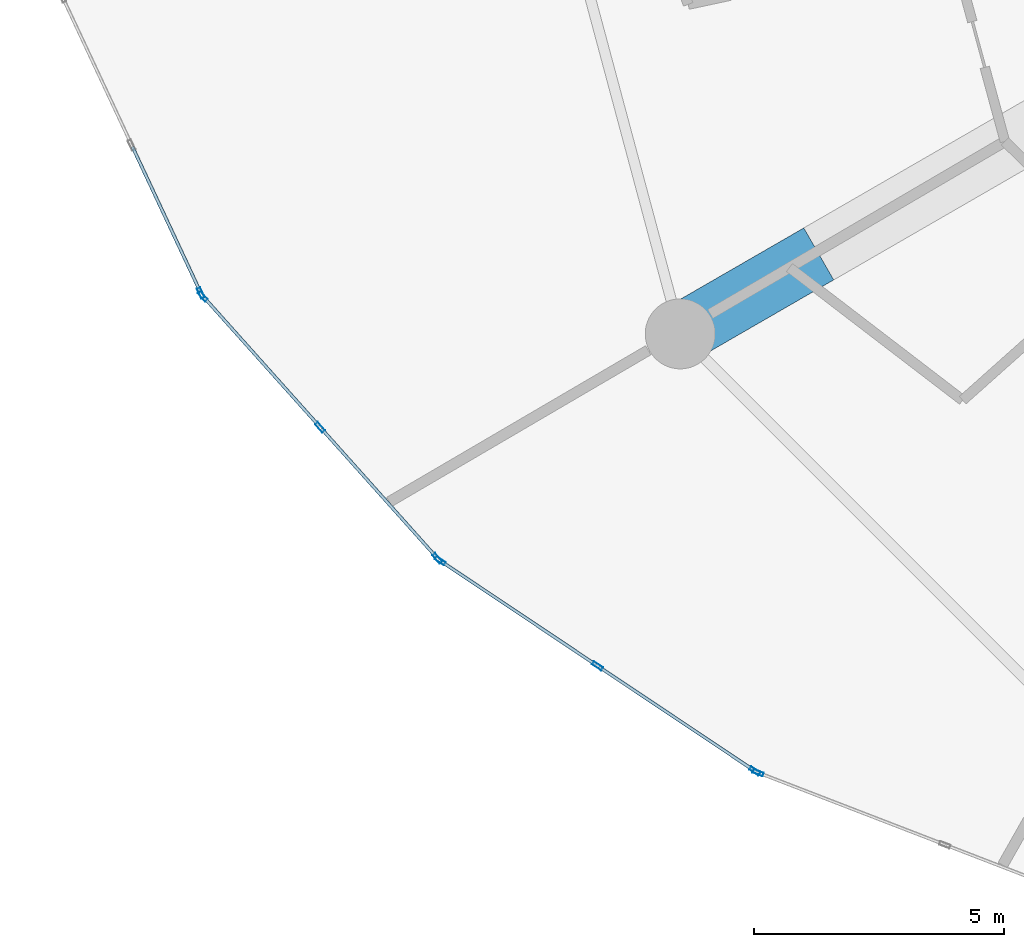
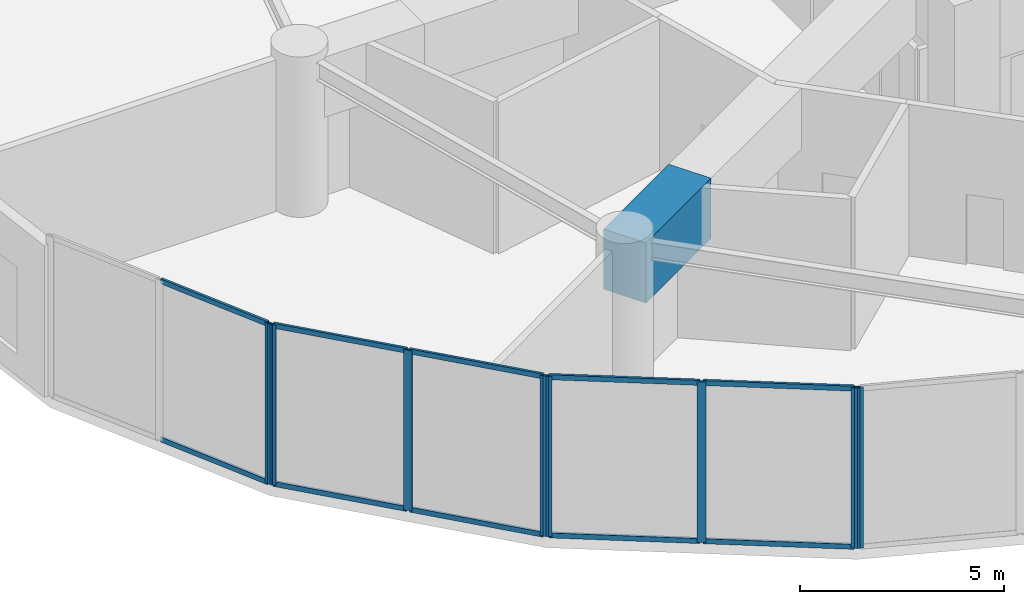
# One storey, part 4 of 27: 18 members, 1 beam, 4 elements without a shape of their own.
"""IFC4 building model written with IfcOpenShell, lengths in metres."""

from ifc_helpers import new_model, si_unit, direction, frame, origin, origin_2d, place, context, subcontext, project, spatial, rectangle, hollow_rectangle, extrude, source, transform, mapped, material, layer, layer_set, material_profile, profile_set, type_object, element, aggregate, save


model = new_model("IFC4")

# Units and contexts
model_context = context("Model", 3, precision=1e-05, world=origin(), true_north=direction((0.0, 1.0)))
body_context = subcontext(model_context, "Body", "Model", "MODEL_VIEW")
ifc_project = project(units=[si_unit("LENGTHUNIT", "METRE"), si_unit("AREAUNIT", "SQUARE_METRE"), si_unit("VOLUMEUNIT", "CUBIC_METRE"), si_unit("PLANEANGLEUNIT", "RADIAN"), si_unit("MASSUNIT", "GRAM", prefix="KILO")], contexts=[model_context])

# Site, building, storey
site_placement = place(None, origin())
site = spatial("IfcSite", under=ifc_project, at=site_placement, CompositionType="ELEMENT")
building_placement = place(site_placement, origin())
building = spatial("IfcBuilding", under=site, at=building_placement, Name="Solvirekh Grand Hotel", CompositionType="ELEMENT")
storey_placement = place(building_placement, frame((0.0, 0.0, 23.60009765625)))
storey = spatial("IfcBuildingStorey", under=building, at=storey_placement, Name="L04", CompositionType="ELEMENT", Elevation=23.60009765625)

# Beam
ifc_material_1 = material(Name="Concrete C60/75", Category="concrete")
ifc_material_profile_1 = material_profile(ifc_material_1, rectangle(XDim=1.199951171875, YDim=1.800048828125, at=origin_2d()), Name="RC GIRDER 1200X1800")
ifc_profile_set_1 = profile_set([ifc_material_profile_1], Name="Concrete C60/75")
beam_type = type_object("IfcBeamType", Name="TransferGirder_RC1800", PredefinedType="USERDEFINED", material=ifc_profile_set_1)
beam_placement = place(storey_placement, frame((-16.10791015625, -9.300048828125, 3.639892578125), z_axis=(-0.866022944154, -0.50000426018, 0.0), x_axis=(0.50000426018, -0.866022944154, 0.0)))
element("IfcBeam", 1, at=beam_placement, inside=storey, type_object=beam_type, Name="L04 outer radial transfer girder 8B", ObjectType="TRANSFER GIRDER", PredefinedType="USERDEFINED", context=body_context, shape_type="SweptSolid", body=[
    extrude(rectangle(XDim=1.199951171875, YDim=1.800048828125, at=origin_2d()), origin(), (0.0, 0.0, 1.0), 3.19970703125),
])

# Curtain wall, members
ifc_material_2 = material(Name="Anodized Bronze Aluminium 6063-T6", Category="aluminium")
ifc_layer = layer(ifc_material_2, 0.219970703125)
ifc_layer_set = layer_set([ifc_layer], Name="Anodized Bronze Aluminium 6063-T6")
curtain_wall_type = type_object("IfcCurtainWallType", Name="CW_Sys1_PodiumBronzeUnitised", PredefinedType="NOTDEFINED", material=ifc_layer_set)
curtain_wall_1_placement = place(storey_placement, origin())
curtain_wall_1 = element("IfcCurtainWall", 2, at=curtain_wall_1_placement, inside=storey, type_object=curtain_wall_type, Name="L04 unitised bronze-glass curtain wall CW-L04-C14", PredefinedType="NOTDEFINED")
ifc_material_profile_2 = material_profile(ifc_material_2, hollow_rectangle(XDim=0.06494140625, YDim=0.14990234375, WallThickness=0.0048828125, at=origin_2d()), Name="ALU RHS 150X65X5")
ifc_profile_set_2 = profile_set([ifc_material_profile_2], Name="Anodized Bronze Aluminium 6063-T6")
member_type_1 = type_object("IfcMemberType", Name="CWTransom_Sys1", PredefinedType="USERDEFINED", material=ifc_profile_set_2)
shared_shape_1 = source(origin(), body_context, "Body", "SweptSolid", [
    extrude(hollow_rectangle(XDim=0.06494140625, YDim=0.14990234375, WallThickness=0.0048828125, at=origin_2d()), origin(), (0.0, 0.0, 1.0), 3.193603515625),
])
member_1_placement = place(storey_placement, frame((-29.839111328125, -7.156494140625, 0.032470703125), z_axis=(0.423759974185, -0.905774521765, 0.0), x_axis=(0.905774521765, 0.423759974185, 0.0)))
member_1 = element("IfcMember", 3, at=member_1_placement, type_object=member_type_1, Name="U01 transom 2.1", ObjectType="TRANSOM", PredefinedType="USERDEFINED", context=body_context, shape_type="MappedRepresentation", body=[
    mapped(shared_shape_1, transform((0.0, 0.0, 0.0), x_axis=(1.0, 0.0, 0.0), y_axis=(0.0, 1.0, 0.0), z_axis=(0.0, 0.0, 1.0), scale=1.0)),
])
member_2_placement = place(storey_placement, frame((-29.839111328125, -7.156494140625, 4.767333984375), z_axis=(0.423759974185, -0.905774521765, 0.0), x_axis=(0.905774521765, 0.423759974185, 0.0)))
member_2 = element("IfcMember", 4, at=member_2_placement, type_object=member_type_1, Name="U01 transom 2.2", ObjectType="TRANSOM", PredefinedType="USERDEFINED", context=body_context, shape_type="MappedRepresentation", body=[
    mapped(shared_shape_1, transform((0.0, 0.0, 0.0), x_axis=(1.0, 0.0, 0.0), y_axis=(0.0, 1.0, 0.0), z_axis=(0.0, 0.0, 1.0), scale=1.0)),
])

curtain_wall_2_placement = place(storey_placement, origin())
curtain_wall_2 = element("IfcCurtainWall", 5, at=curtain_wall_2_placement, inside=storey, type_object=curtain_wall_type, Name="L04 unitised bronze-glass curtain wall CW-L04-C15", PredefinedType="NOTDEFINED")
shared_shape_2 = source(origin(), body_context, "Body", "SweptSolid", [
    extrude(hollow_rectangle(XDim=0.06494140625, YDim=0.14990234375, WallThickness=0.0048828125, at=origin_2d()), origin(), (0.0, 0.0, 1.0), 3.443115234375),
])
member_3_placement = place(storey_placement, frame((-28.404052734375, -10.1728515625, 0.032470703125), z_axis=(0.666732677709, -0.745296945167, 0.0), x_axis=(0.745296945167, 0.666732677709, 0.0)))
member_3 = element("IfcMember", 6, at=member_3_placement, type_object=member_type_1, Name="U01 transom 1.1", ObjectType="TRANSOM", PredefinedType="USERDEFINED", context=body_context, shape_type="MappedRepresentation", body=[
    mapped(shared_shape_2, transform((0.0, 0.0, 0.0), x_axis=(1.0, 0.0, 0.0), y_axis=(0.0, 1.0, 0.0), z_axis=(0.0, 0.0, 1.0), scale=1.0)),
])
member_4_placement = place(storey_placement, frame((-28.404052734375, -10.1728515625, 4.767333984375), z_axis=(0.666732677709, -0.745296945167, 0.0), x_axis=(0.745296945167, 0.666732677709, 0.0)))
member_4 = element("IfcMember", 7, at=member_4_placement, type_object=member_type_1, Name="U01 transom 1.2", ObjectType="TRANSOM", PredefinedType="USERDEFINED", context=body_context, shape_type="MappedRepresentation", body=[
    mapped(shared_shape_2, transform((0.0, 0.0, 0.0), x_axis=(1.0, 0.0, 0.0), y_axis=(0.0, 1.0, 0.0), z_axis=(0.0, 0.0, 1.0), scale=1.0)),
])
member_5_placement = place(storey_placement, frame((-26.05859375, -12.794921875, 0.032470703125), z_axis=(0.666732677709, -0.745296945167, 0.0), x_axis=(0.745296945167, 0.666732677709, 0.0)))
member_5 = element("IfcMember", 8, at=member_5_placement, type_object=member_type_1, Name="U01 transom 2.1", ObjectType="TRANSOM", PredefinedType="USERDEFINED", context=body_context, shape_type="MappedRepresentation", body=[
    mapped(shared_shape_2, transform((0.0, 0.0, 0.0), x_axis=(1.0, 0.0, 0.0), y_axis=(0.0, 1.0, 0.0), z_axis=(0.0, 0.0, 1.0), scale=1.0)),
])
member_6_placement = place(storey_placement, frame((-26.05859375, -12.794921875, 4.767333984375), z_axis=(0.666732677709, -0.745296945167, 0.0), x_axis=(0.745296945167, 0.666732677709, 0.0)))
member_6 = element("IfcMember", 9, at=member_6_placement, type_object=member_type_1, Name="U01 transom 2.2", ObjectType="TRANSOM", PredefinedType="USERDEFINED", context=body_context, shape_type="MappedRepresentation", body=[
    mapped(shared_shape_2, transform((0.0, 0.0, 0.0), x_axis=(1.0, 0.0, 0.0), y_axis=(0.0, 1.0, 0.0), z_axis=(0.0, 0.0, 1.0), scale=1.0)),
])

curtain_wall_3_placement = place(storey_placement, origin())
curtain_wall_3 = element("IfcCurtainWall", 10, at=curtain_wall_3_placement, inside=storey, type_object=curtain_wall_type, Name="L04 unitised bronze-glass curtain wall CW-L04-C16", PredefinedType="NOTDEFINED")
shared_shape_3 = source(origin(), body_context, "Body", "SweptSolid", [
    extrude(hollow_rectangle(XDim=0.06494140625, YDim=0.14990234375, WallThickness=0.0048828125, at=origin_2d()), origin(), (0.0, 0.0, 1.0), 3.710693359375),
])
member_7_placement = place(storey_placement, frame((-23.650634765625, -15.458740234375, 0.032470703125), z_axis=(0.831381621787, -0.555701897563, 0.0), x_axis=(0.555701897563, 0.831381621787, 0.0)))
member_7 = element("IfcMember", 11, at=member_7_placement, type_object=member_type_1, Name="U01 transom 1.1", ObjectType="TRANSOM", PredefinedType="USERDEFINED", context=body_context, shape_type="MappedRepresentation", body=[
    mapped(shared_shape_3, transform((0.0, 0.0, 0.0), x_axis=(1.0, 0.0, 0.0), y_axis=(0.0, 1.0, 0.0), z_axis=(0.0, 0.0, 1.0), scale=1.0)),
])
member_8_placement = place(storey_placement, frame((-23.650634765625, -15.458740234375, 4.767333984375), z_axis=(0.831381621787, -0.555701897563, 0.0), x_axis=(0.555701897563, 0.831381621787, 0.0)))
member_8 = element("IfcMember", 12, at=member_8_placement, type_object=member_type_1, Name="U01 transom 1.2", ObjectType="TRANSOM", PredefinedType="USERDEFINED", context=body_context, shape_type="MappedRepresentation", body=[
    mapped(shared_shape_3, transform((0.0, 0.0, 0.0), x_axis=(1.0, 0.0, 0.0), y_axis=(0.0, 1.0, 0.0), z_axis=(0.0, 0.0, 1.0), scale=1.0)),
])
member_9_placement = place(storey_placement, frame((-20.50341796875, -17.562255859375, 0.032470703125), z_axis=(0.831381621787, -0.555701897563, 0.0), x_axis=(0.555701897563, 0.831381621787, 0.0)))
member_9 = element("IfcMember", 13, at=member_9_placement, type_object=member_type_1, Name="U01 transom 2.1", ObjectType="TRANSOM", PredefinedType="USERDEFINED", context=body_context, shape_type="MappedRepresentation", body=[
    mapped(shared_shape_3, transform((0.0, 0.0, 0.0), x_axis=(1.0, 0.0, 0.0), y_axis=(0.0, 1.0, 0.0), z_axis=(0.0, 0.0, 1.0), scale=1.0)),
])
member_10_placement = place(storey_placement, frame((-20.50341796875, -17.562255859375, 4.767333984375), z_axis=(0.831381621787, -0.555701897563, 0.0), x_axis=(0.555701897563, 0.831381621787, 0.0)))
member_10 = element("IfcMember", 14, at=member_10_placement, type_object=member_type_1, Name="U01 transom 2.2", ObjectType="TRANSOM", PredefinedType="USERDEFINED", context=body_context, shape_type="MappedRepresentation", body=[
    mapped(shared_shape_3, transform((0.0, 0.0, 0.0), x_axis=(1.0, 0.0, 0.0), y_axis=(0.0, 1.0, 0.0), z_axis=(0.0, 0.0, 1.0), scale=1.0)),
])

# Member
ifc_material_profile_3 = material_profile(ifc_material_2, hollow_rectangle(XDim=0.074951171875, YDim=0.219970703125, WallThickness=0.006103515625, at=origin_2d()), Name="ALU RHS 220X75X6")
ifc_profile_set_3 = profile_set([ifc_material_profile_3], Name="Anodized Bronze Aluminium 6063-T6")
member_type_2 = type_object("IfcMemberType", Name="CWMullion_Sys1", PredefinedType="MULLION", material=ifc_profile_set_3)
shared_shape_4 = source(origin(), body_context, "Body", "SweptSolid", [
    extrude(hollow_rectangle(XDim=0.074951171875, YDim=0.219970703125, WallThickness=0.006103515625, at=origin_2d()), origin(), (0.0, 0.0, 1.0), 4.7998046875),
])
member_11_placement = place(storey_placement, frame((-28.469970703125, -10.0830078125, 0.0), z_axis=(0.0, 0.0, 1.0), x_axis=(0.905769284049, 0.42377116947, 0.0)))
member_11 = element("IfcMember", 15, at=member_11_placement, type_object=member_type_2, Name="U01 mullion 3", PredefinedType="MULLION", context=body_context, shape_type="MappedRepresentation", body=[
    mapped(shared_shape_4, transform((0.0, 0.0, 0.0), x_axis=(1.0, 0.0, 0.0), y_axis=(0.0, 1.0, 0.0), z_axis=(0.0, 0.0, 1.0), scale=1.0)),
])

aggregate(curtain_wall_1, [member_11, member_1, member_2])

member_12_placement = place(storey_placement, frame((-28.428955078125, -10.14501953125, 0.0), z_axis=(0.0, 0.0, 1.0), x_axis=(0.745318544724, 0.666708532187, 0.0)))
member_12 = element("IfcMember", 16, at=member_12_placement, type_object=member_type_2, Name="U01 mullion 1", PredefinedType="MULLION", context=body_context, shape_type="MappedRepresentation", body=[
    mapped(shared_shape_4, transform((0.0, 0.0, 0.0), x_axis=(1.0, 0.0, 0.0), y_axis=(0.0, 1.0, 0.0), z_axis=(0.0, 0.0, 1.0), scale=1.0)),
])

member_13_placement = place(storey_placement, frame((-26.08349609375, -12.76708984375, 0.0), z_axis=(0.0, 0.0, 1.0), x_axis=(0.745318544724, 0.666708532187, 0.0)))
member_13 = element("IfcMember", 17, at=member_13_placement, type_object=member_type_2, Name="U01 mullion 2", PredefinedType="MULLION", context=body_context, shape_type="MappedRepresentation", body=[
    mapped(shared_shape_4, transform((0.0, 0.0, 0.0), x_axis=(1.0, 0.0, 0.0), y_axis=(0.0, 1.0, 0.0), z_axis=(0.0, 0.0, 1.0), scale=1.0)),
])

member_14_placement = place(storey_placement, frame((-23.738037109375, -15.38916015625, 0.0), z_axis=(0.0, 0.0, 1.0), x_axis=(0.745318544724, 0.666708532187, 0.0)))
member_14 = element("IfcMember", 18, at=member_14_placement, type_object=member_type_2, Name="U01 mullion 3", PredefinedType="MULLION", context=body_context, shape_type="MappedRepresentation", body=[
    mapped(shared_shape_4, transform((0.0, 0.0, 0.0), x_axis=(1.0, 0.0, 0.0), y_axis=(0.0, 1.0, 0.0), z_axis=(0.0, 0.0, 1.0), scale=1.0)),
])

aggregate(curtain_wall_2, [member_12, member_13, member_14, member_3, member_4, member_5, member_6])

member_15_placement = place(storey_placement, frame((-23.681884765625, -15.437744140625, 0.0), z_axis=(0.0, 0.0, 1.0), x_axis=(0.55569575952, 0.831385724469, 0.0)))
member_15 = element("IfcMember", 19, at=member_15_placement, type_object=member_type_2, Name="U01 mullion 1", PredefinedType="MULLION", context=body_context, shape_type="MappedRepresentation", body=[
    mapped(shared_shape_4, transform((0.0, 0.0, 0.0), x_axis=(1.0, 0.0, 0.0), y_axis=(0.0, 1.0, 0.0), z_axis=(0.0, 0.0, 1.0), scale=1.0)),
])

member_16_placement = place(storey_placement, frame((-20.534423828125, -17.54150390625, 0.0), z_axis=(0.0, 0.0, 1.0), x_axis=(0.55569575952, 0.831385724469, 0.0)))
member_16 = element("IfcMember", 20, at=member_16_placement, type_object=member_type_2, Name="U01 mullion 2", PredefinedType="MULLION", context=body_context, shape_type="MappedRepresentation", body=[
    mapped(shared_shape_4, transform((0.0, 0.0, 0.0), x_axis=(1.0, 0.0, 0.0), y_axis=(0.0, 1.0, 0.0), z_axis=(0.0, 0.0, 1.0), scale=1.0)),
])

member_17_placement = place(storey_placement, frame((-17.38720703125, -19.645263671875, 0.0), z_axis=(0.0, 0.0, 1.0), x_axis=(0.55569575952, 0.831385724469, 0.0)))
member_17 = element("IfcMember", 21, at=member_17_placement, type_object=member_type_2, Name="U01 mullion 3", PredefinedType="MULLION", context=body_context, shape_type="MappedRepresentation", body=[
    mapped(shared_shape_4, transform((0.0, 0.0, 0.0), x_axis=(1.0, 0.0, 0.0), y_axis=(0.0, 1.0, 0.0), z_axis=(0.0, 0.0, 1.0), scale=1.0)),
])

aggregate(curtain_wall_3, [member_15, member_16, member_17, member_7, member_8, member_9, member_10])

# Curtain wall, member
curtain_wall_4_placement = place(storey_placement, origin())
curtain_wall_4 = element("IfcCurtainWall", 22, at=curtain_wall_4_placement, inside=storey, type_object=curtain_wall_type, Name="L04 unitised bronze-glass curtain wall CW-L04-C17", PredefinedType="NOTDEFINED")
member_18_placement = place(storey_placement, frame((-17.321044921875, -19.679443359375, 0.0), z_axis=(0.0, 0.0, 1.0), x_axis=(0.360056701252, 0.93293042178, 0.0)))
member_18 = element("IfcMember", 23, at=member_18_placement, type_object=member_type_2, Name="U01 mullion 1", PredefinedType="MULLION", context=body_context, shape_type="MappedRepresentation", body=[
    mapped(shared_shape_4, transform((0.0, 0.0, 0.0), x_axis=(1.0, 0.0, 0.0), y_axis=(0.0, 1.0, 0.0), z_axis=(0.0, 0.0, 1.0), scale=1.0)),
])
aggregate(curtain_wall_4, [member_18])

save(model, "model.ifc")
